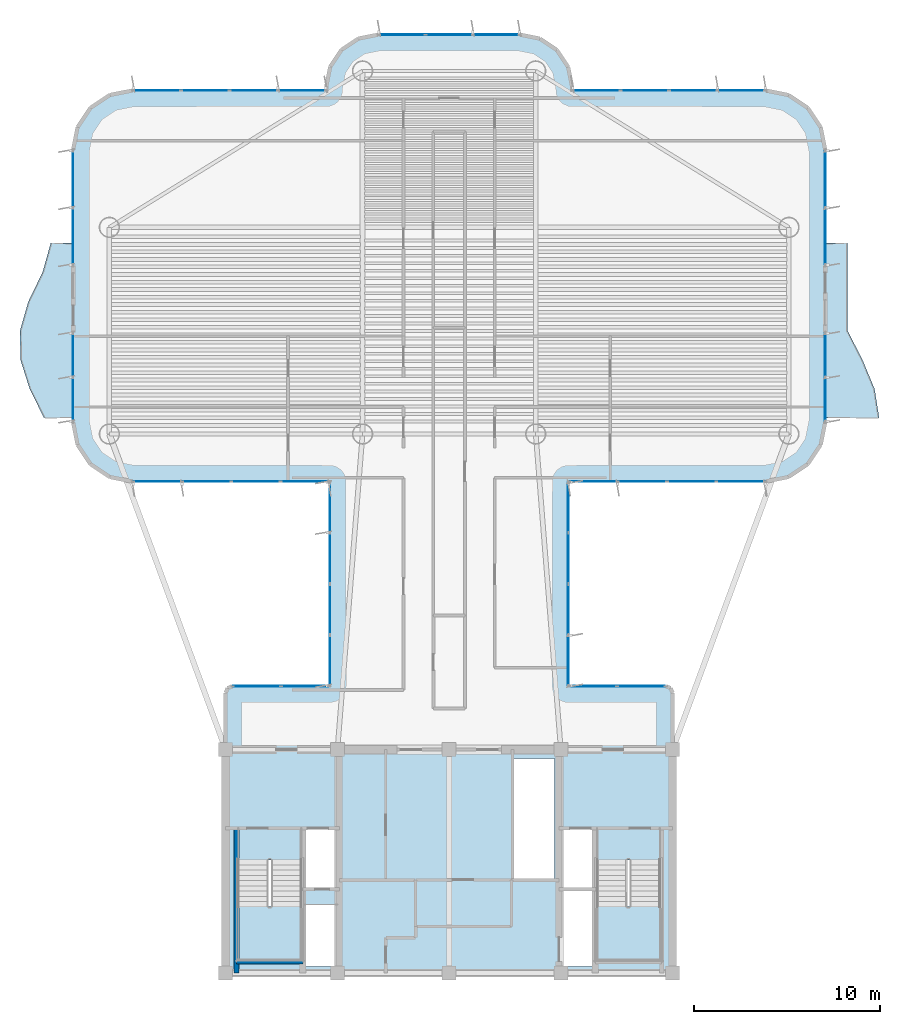
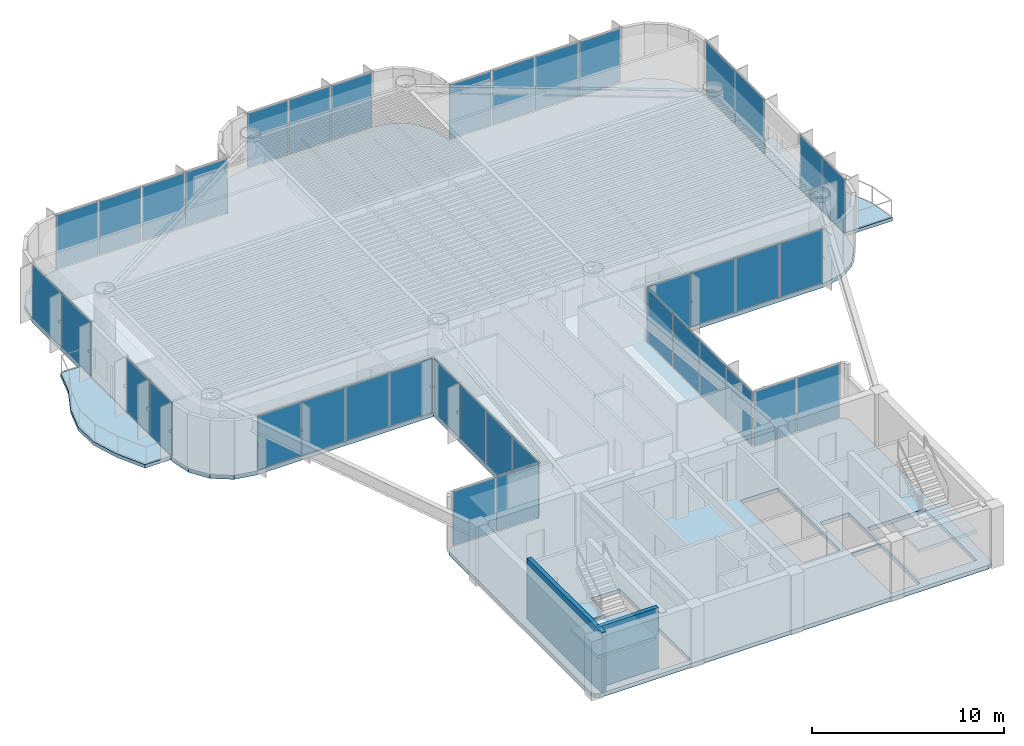
# One storey, part 8 of 14: 39 plates, 5 slabs, 2 walls, 15 elements without a shape of their own.
"""IFC4 building model written with IfcOpenShell, lengths in metres."""

import ifcopenshell
import ifcopenshell.guid

model = None  # the IFC model being written
_history = None  # IfcOwnerHistory: only IFC2X3 demands one
_inside = {}  # id of a spatial element -> (the spatial element, [elements in it])
_under = {}  # id of a project, library or spatial element -> (it, [spatial elements below it])
_declared = {}  # id of a project -> (the project, [libraries it declares])
_typed = {}  # id of a type object -> (the type object, [elements of that type])
_made_of = {}  # id of a material, layer set ... -> (it, [elements and type objects made of it])


def new_model(schema):
    """Start an empty IFC model of exactly this schema.

    Asked for "IFC4X3", IfcOpenShell would pick the latest addendum, in which some entities
    have other attributes; the version numbers below select the first issue.
    IFC2X3 requires an IfcOwnerHistory on every rooted entity: one is made here for all.
    """
    global model, _history
    if schema == "IFC4X3":
        model = ifcopenshell.file(schema_version=(4, 3, 0, 0))
    else:
        model = ifcopenshell.file(schema=schema)
    _inside.clear()
    _under.clear()
    _declared.clear()
    _typed.clear()
    _made_of.clear()
    _history = None
    if model.schema == "IFC2X3":
        org = make("IfcOrganization", Name="unknown")
        user = make(
            "IfcPersonAndOrganization",
            ThePerson=make("IfcPerson", FamilyName="unknown"),
            TheOrganization=org,
        )
        app = make(
            "IfcApplication",
            ApplicationDeveloper=org,
            Version="unknown",
            ApplicationFullName="unknown",
            ApplicationIdentifier="unknown",
        )
        _history = make(
            "IfcOwnerHistory",
            OwningUser=user,
            OwningApplication=app,
            ChangeAction="ADDED",
            CreationDate=0,
        )
    return model


def make(cls, **values):
    """One entity of the class cls with the attributes given. An attribute that is None is left unset."""
    return model.create_entity(
        cls, **{name: value for name, value in values.items() if value is not None}
    )


def rooted(cls, **values):
    """An entity with a GlobalId (a new one), such as an element, a storey or a relation."""
    return make(cls, GlobalId=ifcopenshell.guid.new(), OwnerHistory=_history, **values)


def si_unit(unit_type, name, prefix=None):
    """IfcSIUnit, for example si_unit("LENGTHUNIT", "METRE", prefix="MILLI")."""
    return make("IfcSIUnit", UnitType=unit_type, Prefix=prefix, Name=name)


def assignment(units):
    """IfcUnitAssignment: the units of a project."""
    return None if units is None else make("IfcUnitAssignment", Units=units)


def point(xyz):
    """IfcCartesianPoint."""
    return None if xyz is None else make("IfcCartesianPoint", Coordinates=xyz)


def direction(xyz):
    """IfcDirection."""
    return None if xyz is None else make("IfcDirection", DirectionRatios=xyz)


def frame(location, z_axis=None, x_axis=None):
    """IfcAxis2Placement3D, a coordinate frame: its origin and axes. An axis left out is left unset."""
    return make(
        "IfcAxis2Placement3D",
        Location=point(location),
        Axis=direction(z_axis),
        RefDirection=direction(x_axis),
    )


def frame_2d(location, x_axis=None):
    """IfcAxis2Placement2D, a coordinate frame in the plane: its origin and x axis."""
    return make(
        "IfcAxis2Placement2D", Location=point(location), RefDirection=direction(x_axis)
    )


def origin():
    """The frame at (0, 0, 0) with its axes left unset."""
    return frame((0.0, 0.0, 0.0))


def origin_2d():
    """The frame at (0, 0) in the plane with its x axis left unset."""
    return frame_2d((0.0, 0.0))


def place(relative_to, where):
    """IfcLocalPlacement: puts the frame where relative to a parent placement (None: the world)."""
    return make(
        "IfcLocalPlacement", PlacementRelTo=relative_to, RelativePlacement=where
    )


def context(
    kind, dimensions, precision=None, world=None, true_north=None, identifier=None
):
    """IfcGeometricRepresentationContext, for example the 3D "Model" context."""
    return make(
        "IfcGeometricRepresentationContext",
        ContextIdentifier=identifier,
        ContextType=kind,
        CoordinateSpaceDimension=dimensions,
        Precision=precision,
        WorldCoordinateSystem=world,
        TrueNorth=true_north,
    )


def subcontext(parent, identifier, kind, view, scale=None):
    """IfcGeometricRepresentationSubContext, for example "Body" below "Model"."""
    return make(
        "IfcGeometricRepresentationSubContext",
        ContextIdentifier=identifier,
        ContextType=kind,
        ParentContext=parent,
        TargetScale=scale,
        TargetView=view,
    )


def project(units=None, contexts=None):
    """IfcProject with its units and contexts."""
    return rooted(
        "IfcProject",
        Name="project",
        RepresentationContexts=contexts,
        UnitsInContext=assignment(units),
    )


def spatial(cls, under=None, at=None, **own):
    """A site, building, storey or space (cls), placed at a placement, below another one or the project."""
    s = rooted(cls, ObjectPlacement=at, **own)
    if under is not None:
        _under.setdefault(under.id(), (under, []))[1].append(s)
    return s


def polyline(points):
    """IfcPolyline through the points."""
    return make("IfcPolyline", Points=[point(p) for p in points])


def profile(cls, at=None, kind="AREA", **sizes):
    """A parametric profile (cls). Its sizes go by their IFC names, for example OverallWidth=200.0."""
    return make(cls, ProfileType=kind, Position=at, **sizes)


def rectangle(**sizes):
    """IfcRectangleProfileDef."""
    return profile("IfcRectangleProfileDef", **sizes)


def outline(outer, holes=None, kind="AREA"):
    """IfcArbitraryClosedProfileDef: a profile drawn as a closed curve; with holes, ...WithVoids."""
    if holes is None:
        return make("IfcArbitraryClosedProfileDef", ProfileType=kind, OuterCurve=outer)
    return make(
        "IfcArbitraryProfileDefWithVoids",
        ProfileType=kind,
        OuterCurve=outer,
        InnerCurves=holes,
    )


def extrude(swept, where, along, depth):
    """IfcExtrudedAreaSolid: the profile swept, set in the frame where, extruded along a direction by depth."""
    return make(
        "IfcExtrudedAreaSolid",
        SweptArea=swept,
        Position=where,
        ExtrudedDirection=direction(along),
        Depth=depth,
    )


def shape(context_of_items, identifier, shape_type, items):
    """IfcShapeRepresentation: the items that make up one representation, for example the "Body"."""
    return make(
        "IfcShapeRepresentation",
        ContextOfItems=context_of_items,
        RepresentationIdentifier=identifier,
        RepresentationType=shape_type,
        Items=items,
    )


def source(mapping_origin, context_of_items, identifier, shape_type, items):
    """IfcRepresentationMap: a shape defined once, which mapped items show again and again."""
    return make(
        "IfcRepresentationMap",
        MappingOrigin=mapping_origin,
        MappedRepresentation=shape(context_of_items, identifier, shape_type, items),
    )


def transform(
    local_origin,
    x_axis=None,
    y_axis=None,
    z_axis=None,
    scale=None,
    scale2=None,
    scale3=None,
    uniform=True,
):
    """IfcCartesianTransformationOperator3D, or its non-uniform kind. x_axis, y_axis, z_axis: its Axis1, 2, 3."""
    if uniform:
        return make(
            "IfcCartesianTransformationOperator3D",
            Axis1=direction(x_axis),
            Axis2=direction(y_axis),
            LocalOrigin=point(local_origin),
            Scale=scale,
            Axis3=direction(z_axis),
        )
    return make(
        "IfcCartesianTransformationOperator3DnonUniform",
        Axis1=direction(x_axis),
        Axis2=direction(y_axis),
        LocalOrigin=point(local_origin),
        Scale=scale,
        Axis3=direction(z_axis),
        Scale2=scale2,
        Scale3=scale3,
    )


def mapped(mapping_source, mapping_target):
    """IfcMappedItem: shows the shape of a source again, moved by a transform."""
    return make(
        "IfcMappedItem", MappingSource=mapping_source, MappingTarget=mapping_target
    )


def material(Name=None, Category=None):
    """IfcMaterial."""
    return make("IfcMaterial", Name=Name, Category=Category)


def layer(
    of_material, thickness, ventilated=None, Name=None, Category=None, Priority=None
):
    """IfcMaterialLayer: one layer of a wall or slab, of a material (None: an air gap)."""
    return make(
        "IfcMaterialLayer",
        Material=of_material,
        LayerThickness=thickness,
        IsVentilated=ventilated,
        Name=Name,
        Category=Category,
        Priority=Priority,
    )


def layer_set(layers, Name=None):
    """IfcMaterialLayerSet."""
    return make("IfcMaterialLayerSet", MaterialLayers=layers, LayerSetName=Name)


def made_of(thing, what):
    """Note that an element or type object is made of a material, layer set ...; save() writes the relation."""
    if what is not None:
        _made_of.setdefault(what.id(), (what, []))[1].append(thing)
    return thing


def type_object(cls, material=None, **own):
    """A type object (cls), such as IfcWallType, which elements share."""
    return made_of(rooted(cls, **own), material)


def element(
    cls,
    number,
    at=None,
    inside=None,
    cuts=None,
    type_object=None,
    material=None,
    context=None,
    identifier="Body",
    shape_type=None,
    held_by="IfcProductDefinitionShape",
    body=None,
    shapes=None,
    **own,
):
    """One element of the class cls, such as IfcWall. Its Tag is "e" and its number.

    at: its placement. inside: the storey or other place that contains it. cuts: it is an
    opening in that element (IfcRelVoidsElement). A single representation is given by context,
    identifier, shape_type and body (its items); several are given by shapes. held_by: the class
    of the entity that holds the representations. save() writes the other relations.
    """
    e = rooted(cls, Tag="e%d" % number, ObjectPlacement=at, **own)
    if body is not None:
        shapes = [shape(context, identifier, shape_type, body)]
    if shapes is not None:
        e.Representation = make(held_by, Representations=shapes)
    if inside is not None:
        _inside.setdefault(inside.id(), (inside, []))[1].append(e)
    if cuts is not None:
        rooted(
            "IfcRelVoidsElement", RelatingBuildingElement=cuts, RelatedOpeningElement=e
        )
    if type_object is not None:
        _typed.setdefault(type_object.id(), (type_object, []))[1].append(e)
    return made_of(e, material)


def aggregate(whole, parts):
    """IfcRelAggregates: a whole, such as a stair, and the parts it consists of."""
    return rooted("IfcRelAggregates", RelatingObject=whole, RelatedObjects=parts)


def save(model, path):
    """Write the relations noted so far, then the file.

    IfcRelAggregates (storeys below a building ...), IfcRelContainedInSpatialStructure (elements
    in a storey), IfcRelDefinesByType, IfcRelAssociatesMaterial and IfcRelDeclares: one each for
    every whole, place, type object, material and project.
    """
    for whole, parts in _under.values():
        aggregate(whole, parts)
    for where, things in _inside.values():
        rooted(
            "IfcRelContainedInSpatialStructure",
            RelatedElements=things,
            RelatingStructure=where,
        )
    for kind, things in _typed.values():
        rooted("IfcRelDefinesByType", RelatedObjects=things, RelatingType=kind)
    for what, things in _made_of.values():
        rooted("IfcRelAssociatesMaterial", RelatedObjects=things, RelatingMaterial=what)
    for by, libraries in _declared.values():
        rooted("IfcRelDeclares", RelatingContext=by, RelatedDefinitions=libraries)
    model.write(path)


model = new_model("IFC4")

# Units and contexts
model_context = context("Model", 3, precision=1e-05, world=origin(), true_north=direction((0.0, 1.0)))
body_context = subcontext(model_context, "Body", "Model", "MODEL_VIEW")
ifc_project = project(units=[si_unit("LENGTHUNIT", "METRE"), si_unit("AREAUNIT", "SQUARE_METRE"), si_unit("VOLUMEUNIT", "CUBIC_METRE"), si_unit("PLANEANGLEUNIT", "RADIAN"), si_unit("MASSUNIT", "GRAM", prefix="KILO")], contexts=[model_context])

# Site, building, storey
site_placement = place(None, origin())
site = spatial("IfcSite", under=ifc_project, at=site_placement, CompositionType="ELEMENT")
building_placement = place(site_placement, origin())
building = spatial("IfcBuilding", under=site, at=building_placement, Name="Brelvock Crest Care Tower", CompositionType="ELEMENT")
storey_placement = place(building_placement, frame((0.0, 0.0, 179.10009765625)))
storey = spatial("IfcBuildingStorey", under=building, at=storey_placement, Name="L45", CompositionType="ELEMENT", Elevation=179.10009765625)

# Slabs
ifc_material_1 = material(Name="Concrete N50 (50 MPa)", Category="concrete")
ifc_layer_1 = layer(ifc_material_1, 0.22998046875, Name="SLB-FL4")
ifc_layer_set_1 = layer_set([ifc_layer_1], Name="Concrete N50 (50 MPa)")
slab_type_1 = type_object("IfcSlabType", Name="SLB-FL4", PredefinedType="FLOOR", material=ifc_layer_set_1)
slab_1_placement = place(storey_placement, frame((0.0, 0.0, -0.25)))
element("IfcSlab", 1, at=slab_1_placement, inside=storey, type_object=slab_type_1, Name="L45 Main Structural Slab", PredefinedType="FLOOR", context=body_context, shape_type="SweptSolid", body=[
    extrude(outline(polyline([(47.64990234375, 21.39990234375), (42.39990234375, 21.39990234375), (42.39990234375, 32.39990234375), (53.0, 32.39990234375), (54.224609375, 32.6435546875), (55.2626953125, 33.33740234375), (55.956298828125, 34.37548828125), (56.199951171875, 35.60009765625), (56.199951171875, 50.199951171875), (55.956298828125, 51.424560546875), (55.2626953125, 52.462646484375), (54.224609375, 53.156494140625), (53.0, 53.39990234375), (42.60009765625, 53.39990234375), (42.60009765625, 53.60009765625), (42.386962890625, 54.67138671875), (41.77978515625, 55.579833984375), (40.87158203125, 56.18701171875), (39.800048828125, 56.39990234375), (32.199951171875, 56.39990234375), (31.12841796875, 56.18701171875), (30.22021484375, 55.579833984375), (29.613037109375, 54.67138671875), (29.39990234375, 53.60009765625), (29.39990234375, 53.39990234375), (19.0, 53.39990234375), (17.775390625, 53.156494140625), (16.7373046875, 52.462646484375), (16.043701171875, 51.424560546875), (15.800048828125, 50.199951171875), (15.800048828125, 35.60009765625), (16.043701171875, 34.37548828125), (16.7373046875, 33.33740234375), (17.775390625, 32.6435546875), (19.0, 32.39990234375), (29.60009765625, 32.39990234375), (29.60009765625, 21.39990234375), (24.35009765625, 21.39990234375), (24.1025390625, 21.297607421875), (24.0, 21.050048828125), (24.0, 6.35009765625), (24.1025390625, 6.1025390625), (24.35009765625, 6.0), (47.64990234375, 6.0), (47.8974609375, 6.1025390625), (48.0, 6.35009765625), (48.0, 21.050048828125), (47.8974609375, 21.297607421875), (47.64990234375, 21.39990234375)]), holes=[polyline([(28.239990234375, 10.580078125), (29.97998046875, 10.580078125), (29.97998046875, 13.739990234375), (28.239990234375, 13.739990234375), (28.239990234375, 10.580078125)]), polyline([(42.02001953125, 10.580078125), (43.760009765625, 10.580078125), (43.760009765625, 13.739990234375), (42.02001953125, 13.739990234375), (42.02001953125, 10.580078125)]), polyline([(28.239990234375, 6.340087890625), (29.97998046875, 6.340087890625), (29.97998046875, 9.64990234375), (28.239990234375, 9.64990234375), (28.239990234375, 6.340087890625)]), polyline([(24.6298828125, 12.080078125), (24.6298828125, 6.699951171875), (28.110107421875, 6.699951171875), (28.110107421875, 12.080078125), (24.6298828125, 12.080078125)]), polyline([(43.889892578125, 12.080078125), (43.889892578125, 6.699951171875), (47.3701171875, 6.699951171875), (47.3701171875, 12.080078125), (43.889892578125, 12.080078125)]), polyline([(42.02001953125, 6.340087890625), (43.760009765625, 6.340087890625), (43.760009765625, 10.5), (42.02001953125, 10.5), (42.02001953125, 6.340087890625)]), polyline([(39.429931640625, 11.030029296875), (41.669921875, 11.030029296875), (41.669921875, 17.52001953125), (39.429931640625, 17.52001953125), (39.429931640625, 11.030029296875)])]), origin(), (0.0, 0.0, 1.0), 0.25),
])
ifc_layer_2 = layer(ifc_material_1, 0.219970703125, Name="SLB-WB1")
ifc_layer_set_2 = layer_set([ifc_layer_2], Name="Concrete N50 (50 MPa)")
slab_type_2 = type_object("IfcSlabType", Name="SLB-WB1", PredefinedType="FLOOR", material=ifc_layer_set_2)
slab_2_placement = place(storey_placement, frame((0.0, 0.0, -0.22021484375)))
element("IfcSlab", 2, at=slab_2_placement, inside=storey, type_object=slab_type_2, Name="L45 W Sinusoidal Wave Balcony Slab", PredefinedType="FLOOR", context=body_context, shape_type="SweptSolid", body=[
    extrude(outline(polyline([(15.800048828125, 45.199951171875), (14.60009765625, 45.199951171875), (14.16162109375, 43.63330078125), (13.400390625, 42.066650390625), (12.95068359375, 40.5), (12.977294921875, 38.933349609375), (13.470947265625, 37.36669921875), (14.25, 35.800048828125), (15.800048828125, 35.800048828125), (15.800048828125, 45.199951171875)])), origin(), (0.0, 0.0, 1.0), 0.22021484375),
])
slab_3_placement = place(storey_placement, frame((0.0, 0.0, -0.22021484375)))
element("IfcSlab", 3, at=slab_3_placement, inside=storey, type_object=slab_type_2, Name="L45 E Sinusoidal Wave Balcony Slab", PredefinedType="FLOOR", context=body_context, shape_type="SweptSolid", body=[
    extrude(outline(polyline([(56.199951171875, 35.800048828125), (59.10009765625, 35.800048828125), (58.8525390625, 37.36669921875), (58.20068359375, 38.933349609375), (57.39990234375, 40.5), (57.39990234375, 42.066650390625), (57.39990234375, 43.63330078125), (57.39990234375, 45.199951171875), (56.199951171875, 45.199951171875), (56.199951171875, 35.800048828125)])), origin(), (0.0, 0.0, 1.0), 0.22021484375),
])

# Stair, slab
ifc_material_2 = material(Name="Concrete N40 (40 MPa)", Category="concrete")
stair_type = type_object("IfcStairType", Name="ST-CORE1", PredefinedType="HALF_TURN_STAIR", material=ifc_material_2)
stair_1_placement = place(storey_placement, origin())
stair_1 = element("IfcStair", 4, at=stair_1_placement, inside=storey, type_object=stair_type, Name="L45 Fire-Isolated Core Stair ST-1", PredefinedType="HALF_TURN_STAIR")
ifc_layer_3 = layer(ifc_material_2, 0.199951171875, Name="STL-1")
ifc_layer_set_3 = layer_set([ifc_layer_3], Name="Concrete N40 (40 MPa)")
slab_type_3 = type_object("IfcSlabType", Name="STL-1", PredefinedType="LANDING", material=ifc_layer_set_3)
slab_4_placement = place(storey_placement, frame((0.0, 0.0, 1.68994140625)))
slab_4 = element("IfcSlab", 5, at=slab_4_placement, type_object=slab_type_3, Name="ST-1 landing 1", PredefinedType="LANDING", context=body_context, shape_type="SweptSolid", body=[
    extrude(outline(polyline([(24.6298828125, 9.56005859375), (24.6298828125, 6.699951171875), (28.110107421875, 6.699951171875), (28.110107421875, 9.56005859375), (24.6298828125, 9.56005859375)])), origin(), (0.0, 0.0, 1.0), 0.199951171875),
])
aggregate(stair_1, [slab_4])

stair_2_placement = place(storey_placement, origin())
stair_2 = element("IfcStair", 6, at=stair_2_placement, inside=storey, type_object=stair_type, Name="L45 Fire-Isolated Core Stair ST-2", PredefinedType="HALF_TURN_STAIR")
slab_5_placement = place(storey_placement, frame((0.0, 0.0, 1.68994140625)))
slab_5 = element("IfcSlab", 7, at=slab_5_placement, type_object=slab_type_3, Name="ST-2 landing 1", PredefinedType="LANDING", context=body_context, shape_type="SweptSolid", body=[
    extrude(outline(polyline([(43.889892578125, 9.56005859375), (43.889892578125, 6.699951171875), (47.3701171875, 6.699951171875), (47.3701171875, 9.56005859375), (43.889892578125, 9.56005859375)])), origin(), (0.0, 0.0, 1.0), 0.199951171875),
])
aggregate(stair_2, [slab_5])

# Curtain wall, plates
ifc_material_3 = material(Name="Dark Glass Double Glazed Low-E", Category="glass")
ifc_layer_4 = layer(ifc_material_3, 0.22509765625, Name="CWS-4")
ifc_layer_set_4 = layer_set([ifc_layer_4], Name="Dark Glass Double Glazed Low-E")
curtain_wall_type = type_object("IfcCurtainWallType", Name="CWS-4", PredefinedType="NOTDEFINED", material=ifc_layer_set_4)
curtain_wall_1_placement = place(storey_placement, origin())
curtain_wall_1 = element("IfcCurtainWall", 8, at=curtain_wall_1_placement, inside=storey, type_object=curtain_wall_type, Name="L45 Curtain Wall E10", PredefinedType="NOTDEFINED")
ifc_layer_5 = layer(ifc_material_3, 0.0380859375, Name="CWP-V2")
ifc_layer_set_5 = layer_set([ifc_layer_5], Name="Dark Glass Double Glazed Low-E")
plate_type = type_object("IfcPlateType", Name="CWP-V2", PredefinedType="CURTAIN_PANEL", material=ifc_layer_set_5)
shared_shape_1 = source(origin(), body_context, "Body", "SweptSolid", [
    extrude(rectangle(XDim=2.534912109375, YDim=0.035888671875, at=origin_2d()), origin(), (0.0, 0.0, 1.0), 3.409912109375),
])
plate_1_placement = place(storey_placement, frame((25.677490234375, 21.39990234375, 0.06005859375), z_axis=(0.0, 0.0, 1.0), x_axis=(1.0, 0.0, 0.0)))
plate_1 = element("IfcPlate", 9, at=plate_1_placement, type_object=plate_type, Name="CW-4 panel 1.1", PredefinedType="CURTAIN_PANEL", context=body_context, shape_type="MappedRepresentation", body=[
    mapped(shared_shape_1, transform((0.0, 0.0, 0.0), x_axis=(1.0, 0.0, 0.0), y_axis=(0.0, 1.0, 0.0), z_axis=(0.0, 0.0, 1.0), scale=1.0)),
])
plate_2_placement = place(storey_placement, frame((28.2724609375, 21.39990234375, 0.06005859375), z_axis=(0.0, 0.0, 1.0), x_axis=(1.0, 0.0, 0.0)))
plate_2 = element("IfcPlate", 10, at=plate_2_placement, type_object=plate_type, Name="CW-4 panel 2.1", PredefinedType="CURTAIN_PANEL", context=body_context, shape_type="MappedRepresentation", body=[
    mapped(shared_shape_1, transform((0.0, 0.0, 0.0), x_axis=(1.0, 0.0, 0.0), y_axis=(0.0, 1.0, 0.0), z_axis=(0.0, 0.0, 1.0), scale=1.0)),
])
aggregate(curtain_wall_1, [plate_1, plate_2])

curtain_wall_2_placement = place(storey_placement, origin())
curtain_wall_2 = element("IfcCurtainWall", 11, at=curtain_wall_2_placement, inside=storey, type_object=curtain_wall_type, Name="L45 Curtain Wall E46", PredefinedType="NOTDEFINED")
plate_3_placement = place(storey_placement, frame((43.7275390625, 21.39990234375, 0.06005859375), z_axis=(0.0, 0.0, 1.0), x_axis=(1.0, 0.0, 0.0)))
plate_3 = element("IfcPlate", 12, at=plate_3_placement, type_object=plate_type, Name="CW-4 panel 1.1", PredefinedType="CURTAIN_PANEL", context=body_context, shape_type="MappedRepresentation", body=[
    mapped(shared_shape_1, transform((0.0, 0.0, 0.0), x_axis=(1.0, 0.0, 0.0), y_axis=(0.0, 1.0, 0.0), z_axis=(0.0, 0.0, 1.0), scale=1.0)),
])
plate_4_placement = place(storey_placement, frame((46.322509765625, 21.39990234375, 0.06005859375), z_axis=(0.0, 0.0, 1.0), x_axis=(1.0, 0.0, 0.0)))
plate_4 = element("IfcPlate", 13, at=plate_4_placement, type_object=plate_type, Name="CW-4 panel 2.1", PredefinedType="CURTAIN_PANEL", context=body_context, shape_type="MappedRepresentation", body=[
    mapped(shared_shape_1, transform((0.0, 0.0, 0.0), x_axis=(1.0, 0.0, 0.0), y_axis=(0.0, 1.0, 0.0), z_axis=(0.0, 0.0, 1.0), scale=1.0)),
])
aggregate(curtain_wall_2, [plate_3, plate_4])

curtain_wall_3_placement = place(storey_placement, origin())
curtain_wall_3 = element("IfcCurtainWall", 14, at=curtain_wall_3_placement, inside=storey, type_object=curtain_wall_type, Name="L45 Curtain Wall E11", PredefinedType="NOTDEFINED")
shared_shape_2 = source(origin(), body_context, "Body", "SweptSolid", [
    extrude(rectangle(XDim=2.659912109375, YDim=0.035888671875, at=origin_2d()), origin(), (0.0, 0.0, 1.0), 3.409912109375),
])
plate_5_placement = place(storey_placement, frame((29.60009765625, 22.7900390625, 0.06005859375), z_axis=(0.0, 0.0, 1.0), x_axis=(0.0, 1.0, 0.0)))
plate_5 = element("IfcPlate", 15, at=plate_5_placement, type_object=plate_type, Name="CW-4 panel 1.1", PredefinedType="CURTAIN_PANEL", context=body_context, shape_type="MappedRepresentation", body=[
    mapped(shared_shape_2, transform((0.0, 0.0, 0.0), x_axis=(1.0, 0.0, 0.0), y_axis=(0.0, 1.0, 0.0), z_axis=(0.0, 0.0, 1.0), scale=1.0)),
])
plate_6_placement = place(storey_placement, frame((29.60009765625, 31.010009765625, 0.06005859375), z_axis=(0.0, 0.0, 1.0), x_axis=(0.0, 1.0, 0.0)))
plate_6 = element("IfcPlate", 16, at=plate_6_placement, type_object=plate_type, Name="CW-4 panel 4.1", PredefinedType="CURTAIN_PANEL", context=body_context, shape_type="MappedRepresentation", body=[
    mapped(shared_shape_2, transform((0.0, 0.0, 0.0), x_axis=(1.0, 0.0, 0.0), y_axis=(0.0, 1.0, 0.0), z_axis=(0.0, 0.0, 1.0), scale=1.0)),
])

curtain_wall_4_placement = place(storey_placement, origin())
curtain_wall_4 = element("IfcCurtainWall", 17, at=curtain_wall_4_placement, inside=storey, type_object=curtain_wall_type, Name="L45 Curtain Wall E45", PredefinedType="NOTDEFINED")
plate_7_placement = place(storey_placement, frame((42.39990234375, 31.010009765625, 0.06005859375), z_axis=(0.0, 0.0, 1.0), x_axis=(0.0, -1.0, 0.0)))
plate_7 = element("IfcPlate", 18, at=plate_7_placement, type_object=plate_type, Name="CW-4 panel 1.1", PredefinedType="CURTAIN_PANEL", context=body_context, shape_type="MappedRepresentation", body=[
    mapped(shared_shape_2, transform((0.0, 0.0, 0.0), x_axis=(1.0, 0.0, 0.0), y_axis=(0.0, 1.0, 0.0), z_axis=(0.0, 0.0, 1.0), scale=1.0)),
])
plate_8_placement = place(storey_placement, frame((42.39990234375, 22.7900390625, 0.06005859375), z_axis=(0.0, 0.0, 1.0), x_axis=(0.0, -1.0, 0.0)))
plate_8 = element("IfcPlate", 19, at=plate_8_placement, type_object=plate_type, Name="CW-4 panel 4.1", PredefinedType="CURTAIN_PANEL", context=body_context, shape_type="MappedRepresentation", body=[
    mapped(shared_shape_2, transform((0.0, 0.0, 0.0), x_axis=(1.0, 0.0, 0.0), y_axis=(0.0, 1.0, 0.0), z_axis=(0.0, 0.0, 1.0), scale=1.0)),
])

# Plate
shared_shape_3 = source(origin(), body_context, "Body", "SweptSolid", [
    extrude(rectangle(XDim=2.68994140625, YDim=0.035888671875, at=origin_2d()), origin(), (0.0, 0.0, 1.0), 3.409912109375),
])
plate_9_placement = place(storey_placement, frame((29.60009765625, 25.52490234375, 0.06005859375), z_axis=(0.0, 0.0, 1.0), x_axis=(0.0, 1.0, 0.0)))
plate_9 = element("IfcPlate", 20, at=plate_9_placement, type_object=plate_type, Name="CW-4 panel 2.1", PredefinedType="CURTAIN_PANEL", context=body_context, shape_type="MappedRepresentation", body=[
    mapped(shared_shape_3, transform((0.0, 0.0, 0.0), x_axis=(1.0, 0.0, 0.0), y_axis=(0.0, 1.0, 0.0), z_axis=(0.0, 0.0, 1.0), scale=1.0)),
])

plate_10_placement = place(storey_placement, frame((29.60009765625, 28.27490234375, 0.06005859375), z_axis=(0.0, 0.0, 1.0), x_axis=(0.0, 1.0, 0.0)))
plate_10 = element("IfcPlate", 21, at=plate_10_placement, type_object=plate_type, Name="CW-4 panel 3.1", PredefinedType="CURTAIN_PANEL", context=body_context, shape_type="MappedRepresentation", body=[
    mapped(shared_shape_3, transform((0.0, 0.0, 0.0), x_axis=(1.0, 0.0, 0.0), y_axis=(0.0, 1.0, 0.0), z_axis=(0.0, 0.0, 1.0), scale=1.0)),
])

aggregate(curtain_wall_3, [plate_5, plate_9, plate_10, plate_6])

plate_11_placement = place(storey_placement, frame((42.39990234375, 28.27490234375, 0.06005859375), z_axis=(0.0, 0.0, 1.0), x_axis=(0.0, -1.0, 0.0)))
plate_11 = element("IfcPlate", 22, at=plate_11_placement, type_object=plate_type, Name="CW-4 panel 2.1", PredefinedType="CURTAIN_PANEL", context=body_context, shape_type="MappedRepresentation", body=[
    mapped(shared_shape_3, transform((0.0, 0.0, 0.0), x_axis=(1.0, 0.0, 0.0), y_axis=(0.0, 1.0, 0.0), z_axis=(0.0, 0.0, 1.0), scale=1.0)),
])

plate_12_placement = place(storey_placement, frame((42.39990234375, 25.52490234375, 0.06005859375), z_axis=(0.0, 0.0, 1.0), x_axis=(0.0, -1.0, 0.0)))
plate_12 = element("IfcPlate", 23, at=plate_12_placement, type_object=plate_type, Name="CW-4 panel 3.1", PredefinedType="CURTAIN_PANEL", context=body_context, shape_type="MappedRepresentation", body=[
    mapped(shared_shape_3, transform((0.0, 0.0, 0.0), x_axis=(1.0, 0.0, 0.0), y_axis=(0.0, 1.0, 0.0), z_axis=(0.0, 0.0, 1.0), scale=1.0)),
])

aggregate(curtain_wall_4, [plate_7, plate_11, plate_12, plate_8])

# Curtain wall, plates
curtain_wall_5_placement = place(storey_placement, origin())
curtain_wall_5 = element("IfcCurtainWall", 24, at=curtain_wall_5_placement, inside=storey, type_object=curtain_wall_type, Name="L45 Curtain Wall E12", PredefinedType="NOTDEFINED")
shared_shape_4 = source(origin(), body_context, "Body", "SweptSolid", [
    extrude(rectangle(XDim=2.56005859375, YDim=0.035888671875, at=origin_2d()), origin(), (0.0, 0.0, 1.0), 3.409912109375),
])
plate_13_placement = place(storey_placement, frame((28.260009765625, 32.39990234375, 0.06005859375), z_axis=(0.0, 0.0, 1.0), x_axis=(-1.0, 0.0, 0.0)))
plate_13 = element("IfcPlate", 25, at=plate_13_placement, type_object=plate_type, Name="CW-4 panel 1.1", PredefinedType="CURTAIN_PANEL", context=body_context, shape_type="MappedRepresentation", body=[
    mapped(shared_shape_4, transform((0.0, 0.0, 0.0), x_axis=(1.0, 0.0, 0.0), y_axis=(0.0, 1.0, 0.0), z_axis=(0.0, 0.0, 1.0), scale=1.0)),
])
plate_14_placement = place(storey_placement, frame((20.340087890625, 32.39990234375, 0.06005859375), z_axis=(0.0, 0.0, 1.0), x_axis=(-1.0, 0.0, 0.0)))
plate_14 = element("IfcPlate", 26, at=plate_14_placement, type_object=plate_type, Name="CW-4 panel 4.1", PredefinedType="CURTAIN_PANEL", context=body_context, shape_type="MappedRepresentation", body=[
    mapped(shared_shape_4, transform((0.0, 0.0, 0.0), x_axis=(1.0, 0.0, 0.0), y_axis=(0.0, 1.0, 0.0), z_axis=(0.0, 0.0, 1.0), scale=1.0)),
])

curtain_wall_6_placement = place(storey_placement, origin())
curtain_wall_6 = element("IfcCurtainWall", 27, at=curtain_wall_6_placement, inside=storey, type_object=curtain_wall_type, Name="L45 Curtain Wall E44", PredefinedType="NOTDEFINED")
plate_15_placement = place(storey_placement, frame((51.659912109375, 32.39990234375, 0.06005859375), z_axis=(0.0, 0.0, 1.0), x_axis=(-1.0, 0.0, 0.0)))
plate_15 = element("IfcPlate", 28, at=plate_15_placement, type_object=plate_type, Name="CW-4 panel 1.1", PredefinedType="CURTAIN_PANEL", context=body_context, shape_type="MappedRepresentation", body=[
    mapped(shared_shape_4, transform((0.0, 0.0, 0.0), x_axis=(1.0, 0.0, 0.0), y_axis=(0.0, 1.0, 0.0), z_axis=(0.0, 0.0, 1.0), scale=1.0)),
])
plate_16_placement = place(storey_placement, frame((43.739990234375, 32.39990234375, 0.06005859375), z_axis=(0.0, 0.0, 1.0), x_axis=(-1.0, 0.0, 0.0)))
plate_16 = element("IfcPlate", 29, at=plate_16_placement, type_object=plate_type, Name="CW-4 panel 4.1", PredefinedType="CURTAIN_PANEL", context=body_context, shape_type="MappedRepresentation", body=[
    mapped(shared_shape_4, transform((0.0, 0.0, 0.0), x_axis=(1.0, 0.0, 0.0), y_axis=(0.0, 1.0, 0.0), z_axis=(0.0, 0.0, 1.0), scale=1.0)),
])

# Plate
shared_shape_5 = source(origin(), body_context, "Body", "SweptSolid", [
    extrude(rectangle(XDim=2.590087890625, YDim=0.035888671875, at=origin_2d()), origin(), (0.0, 0.0, 1.0), 3.409912109375),
])
plate_17_placement = place(storey_placement, frame((25.625, 32.39990234375, 0.06005859375), z_axis=(0.0, 0.0, 1.0), x_axis=(-1.0, 0.0, 0.0)))
plate_17 = element("IfcPlate", 30, at=plate_17_placement, type_object=plate_type, Name="CW-4 panel 2.1", PredefinedType="CURTAIN_PANEL", context=body_context, shape_type="MappedRepresentation", body=[
    mapped(shared_shape_5, transform((0.0, 0.0, 0.0), x_axis=(1.0, 0.0, 0.0), y_axis=(0.0, 1.0, 0.0), z_axis=(0.0, 0.0, 1.0), scale=1.0)),
])

plate_18_placement = place(storey_placement, frame((22.97509765625, 32.39990234375, 0.06005859375), z_axis=(0.0, 0.0, 1.0), x_axis=(-1.0, 0.0, 0.0)))
plate_18 = element("IfcPlate", 31, at=plate_18_placement, type_object=plate_type, Name="CW-4 panel 3.1", PredefinedType="CURTAIN_PANEL", context=body_context, shape_type="MappedRepresentation", body=[
    mapped(shared_shape_5, transform((0.0, 0.0, 0.0), x_axis=(1.0, 0.0, 0.0), y_axis=(0.0, 1.0, 0.0), z_axis=(0.0, 0.0, 1.0), scale=1.0)),
])

aggregate(curtain_wall_5, [plate_13, plate_17, plate_18, plate_14])

plate_19_placement = place(storey_placement, frame((49.02490234375, 32.39990234375, 0.06005859375), z_axis=(0.0, 0.0, 1.0), x_axis=(-1.0, 0.0, 0.0)))
plate_19 = element("IfcPlate", 32, at=plate_19_placement, type_object=plate_type, Name="CW-4 panel 2.1", PredefinedType="CURTAIN_PANEL", context=body_context, shape_type="MappedRepresentation", body=[
    mapped(shared_shape_5, transform((0.0, 0.0, 0.0), x_axis=(1.0, 0.0, 0.0), y_axis=(0.0, 1.0, 0.0), z_axis=(0.0, 0.0, 1.0), scale=1.0)),
])

plate_20_placement = place(storey_placement, frame((46.375, 32.39990234375, 0.06005859375), z_axis=(0.0, 0.0, 1.0), x_axis=(-1.0, 0.0, 0.0)))
plate_20 = element("IfcPlate", 33, at=plate_20_placement, type_object=plate_type, Name="CW-4 panel 3.1", PredefinedType="CURTAIN_PANEL", context=body_context, shape_type="MappedRepresentation", body=[
    mapped(shared_shape_5, transform((0.0, 0.0, 0.0), x_axis=(1.0, 0.0, 0.0), y_axis=(0.0, 1.0, 0.0), z_axis=(0.0, 0.0, 1.0), scale=1.0)),
])

aggregate(curtain_wall_6, [plate_15, plate_19, plate_20, plate_16])

# Curtain wall, plates
curtain_wall_7_placement = place(storey_placement, origin())
curtain_wall_7 = element("IfcCurtainWall", 34, at=curtain_wall_7_placement, inside=storey, type_object=curtain_wall_type, Name="L45 Curtain Wall E22", PredefinedType="NOTDEFINED")
shared_shape_6 = source(origin(), body_context, "Body", "SweptSolid", [
    extrude(rectangle(XDim=2.510009765625, YDim=0.035888671875, at=origin_2d()), origin(), (0.0, 0.0, 1.0), 3.409912109375),
])
plate_21_placement = place(storey_placement, frame((20.31494140625, 53.39990234375, 0.06005859375), z_axis=(0.0, 0.0, 1.0), x_axis=(1.0, 0.0, 0.0)))
plate_21 = element("IfcPlate", 35, at=plate_21_placement, type_object=plate_type, Name="CW-4 panel 1.1", PredefinedType="CURTAIN_PANEL", context=body_context, shape_type="MappedRepresentation", body=[
    mapped(shared_shape_6, transform((0.0, 0.0, 0.0), x_axis=(1.0, 0.0, 0.0), y_axis=(0.0, 1.0, 0.0), z_axis=(0.0, 0.0, 1.0), scale=1.0)),
])
plate_22_placement = place(storey_placement, frame((28.0849609375, 53.39990234375, 0.06005859375), z_axis=(0.0, 0.0, 1.0), x_axis=(1.0, 0.0, 0.0)))
plate_22 = element("IfcPlate", 36, at=plate_22_placement, type_object=plate_type, Name="CW-4 panel 4.1", PredefinedType="CURTAIN_PANEL", context=body_context, shape_type="MappedRepresentation", body=[
    mapped(shared_shape_6, transform((0.0, 0.0, 0.0), x_axis=(1.0, 0.0, 0.0), y_axis=(0.0, 1.0, 0.0), z_axis=(0.0, 0.0, 1.0), scale=1.0)),
])

curtain_wall_8_placement = place(storey_placement, origin())
curtain_wall_8 = element("IfcCurtainWall", 37, at=curtain_wall_8_placement, inside=storey, type_object=curtain_wall_type, Name="L45 Curtain Wall E34", PredefinedType="NOTDEFINED")
plate_23_placement = place(storey_placement, frame((43.9150390625, 53.39990234375, 0.06005859375), z_axis=(0.0, 0.0, 1.0), x_axis=(1.0, 0.0, 0.0)))
plate_23 = element("IfcPlate", 38, at=plate_23_placement, type_object=plate_type, Name="CW-4 panel 1.1", PredefinedType="CURTAIN_PANEL", context=body_context, shape_type="MappedRepresentation", body=[
    mapped(shared_shape_6, transform((0.0, 0.0, 0.0), x_axis=(1.0, 0.0, 0.0), y_axis=(0.0, 1.0, 0.0), z_axis=(0.0, 0.0, 1.0), scale=1.0)),
])
plate_24_placement = place(storey_placement, frame((51.68505859375, 53.39990234375, 0.06005859375), z_axis=(0.0, 0.0, 1.0), x_axis=(1.0, 0.0, 0.0)))
plate_24 = element("IfcPlate", 39, at=plate_24_placement, type_object=plate_type, Name="CW-4 panel 4.1", PredefinedType="CURTAIN_PANEL", context=body_context, shape_type="MappedRepresentation", body=[
    mapped(shared_shape_6, transform((0.0, 0.0, 0.0), x_axis=(1.0, 0.0, 0.0), y_axis=(0.0, 1.0, 0.0), z_axis=(0.0, 0.0, 1.0), scale=1.0)),
])

# Plate
shared_shape_7 = source(origin(), body_context, "Body", "SweptSolid", [
    extrude(rectangle(XDim=2.5400390625, YDim=0.035888671875, at=origin_2d()), origin(), (0.0, 0.0, 1.0), 3.409912109375),
])
plate_25_placement = place(storey_placement, frame((22.89990234375, 53.39990234375, 0.06005859375), z_axis=(0.0, 0.0, 1.0), x_axis=(1.0, 0.0, 0.0)))
plate_25 = element("IfcPlate", 40, at=plate_25_placement, type_object=plate_type, Name="CW-4 panel 2.1", PredefinedType="CURTAIN_PANEL", context=body_context, shape_type="MappedRepresentation", body=[
    mapped(shared_shape_7, transform((0.0, 0.0, 0.0), x_axis=(1.0, 0.0, 0.0), y_axis=(0.0, 1.0, 0.0), z_axis=(0.0, 0.0, 1.0), scale=1.0)),
])

plate_26_placement = place(storey_placement, frame((25.5, 53.39990234375, 0.06005859375), z_axis=(0.0, 0.0, 1.0), x_axis=(1.0, 0.0, 0.0)))
plate_26 = element("IfcPlate", 41, at=plate_26_placement, type_object=plate_type, Name="CW-4 panel 3.1", PredefinedType="CURTAIN_PANEL", context=body_context, shape_type="MappedRepresentation", body=[
    mapped(shared_shape_7, transform((0.0, 0.0, 0.0), x_axis=(1.0, 0.0, 0.0), y_axis=(0.0, 1.0, 0.0), z_axis=(0.0, 0.0, 1.0), scale=1.0)),
])

aggregate(curtain_wall_7, [plate_21, plate_25, plate_26, plate_22])

plate_27_placement = place(storey_placement, frame((46.5, 53.39990234375, 0.06005859375), z_axis=(0.0, 0.0, 1.0), x_axis=(1.0, 0.0, 0.0)))
plate_27 = element("IfcPlate", 42, at=plate_27_placement, type_object=plate_type, Name="CW-4 panel 2.1", PredefinedType="CURTAIN_PANEL", context=body_context, shape_type="MappedRepresentation", body=[
    mapped(shared_shape_7, transform((0.0, 0.0, 0.0), x_axis=(1.0, 0.0, 0.0), y_axis=(0.0, 1.0, 0.0), z_axis=(0.0, 0.0, 1.0), scale=1.0)),
])

plate_28_placement = place(storey_placement, frame((49.10009765625, 53.39990234375, 0.06005859375), z_axis=(0.0, 0.0, 1.0), x_axis=(1.0, 0.0, 0.0)))
plate_28 = element("IfcPlate", 43, at=plate_28_placement, type_object=plate_type, Name="CW-4 panel 3.1", PredefinedType="CURTAIN_PANEL", context=body_context, shape_type="MappedRepresentation", body=[
    mapped(shared_shape_7, transform((0.0, 0.0, 0.0), x_axis=(1.0, 0.0, 0.0), y_axis=(0.0, 1.0, 0.0), z_axis=(0.0, 0.0, 1.0), scale=1.0)),
])

aggregate(curtain_wall_8, [plate_23, plate_27, plate_28, plate_24])

# Curtain wall, plates
curtain_wall_9_placement = place(storey_placement, origin())
curtain_wall_9 = element("IfcCurtainWall", 44, at=curtain_wall_9_placement, inside=storey, type_object=curtain_wall_type, Name="L45 Curtain Wall E28", PredefinedType="NOTDEFINED")
shared_shape_8 = source(origin(), body_context, "Body", "SweptSolid", [
    extrude(rectangle(XDim=2.443359375, YDim=0.035888671875, at=origin_2d()), origin(), (0.0, 0.0, 1.0), 3.409912109375),
])
plate_29_placement = place(storey_placement, frame((33.481689453125, 56.39990234375, 0.06005859375), z_axis=(0.0, 0.0, 1.0), x_axis=(1.0, 0.0, 0.0)))
plate_29 = element("IfcPlate", 45, at=plate_29_placement, type_object=plate_type, Name="CW-4 panel 1.1", PredefinedType="CURTAIN_PANEL", context=body_context, shape_type="MappedRepresentation", body=[
    mapped(shared_shape_8, transform((0.0, 0.0, 0.0), x_axis=(1.0, 0.0, 0.0), y_axis=(0.0, 1.0, 0.0), z_axis=(0.0, 0.0, 1.0), scale=1.0)),
])
plate_30_placement = place(storey_placement, frame((38.518310546875, 56.39990234375, 0.06005859375), z_axis=(0.0, 0.0, 1.0), x_axis=(1.0, 0.0, 0.0)))
plate_30 = element("IfcPlate", 46, at=plate_30_placement, type_object=plate_type, Name="CW-4 panel 3.1", PredefinedType="CURTAIN_PANEL", context=body_context, shape_type="MappedRepresentation", body=[
    mapped(shared_shape_8, transform((0.0, 0.0, 0.0), x_axis=(1.0, 0.0, 0.0), y_axis=(0.0, 1.0, 0.0), z_axis=(0.0, 0.0, 1.0), scale=1.0)),
])
shared_shape_9 = source(origin(), body_context, "Body", "SweptSolid", [
    extrude(rectangle(XDim=2.473388671875, YDim=0.035888671875, at=origin_2d()), origin(), (0.0, 0.0, 1.0), 3.409912109375),
])
plate_31_placement = place(storey_placement, frame((36.0, 56.39990234375, 0.06005859375), z_axis=(0.0, 0.0, 1.0), x_axis=(1.0, 0.0, 0.0)))
plate_31 = element("IfcPlate", 47, at=plate_31_placement, type_object=plate_type, Name="CW-4 panel 2.1", PredefinedType="CURTAIN_PANEL", context=body_context, shape_type="MappedRepresentation", body=[
    mapped(shared_shape_9, transform((0.0, 0.0, 0.0), x_axis=(1.0, 0.0, 0.0), y_axis=(0.0, 1.0, 0.0), z_axis=(0.0, 0.0, 1.0), scale=1.0)),
])
aggregate(curtain_wall_9, [plate_29, plate_31, plate_30])

curtain_wall_10_placement = place(storey_placement, origin())
curtain_wall_10 = element("IfcCurtainWall", 48, at=curtain_wall_10_placement, inside=storey, type_object=curtain_wall_type, Name="L45 Curtain Wall E17A", PredefinedType="NOTDEFINED")
shared_shape_10 = source(origin(), body_context, "Body", "SweptSolid", [
    extrude(rectangle(XDim=2.31005859375, YDim=0.035888671875, at=origin_2d()), origin(), (0.0, 0.0, 1.0), 3.409912109375),
])
plate_32_placement = place(storey_placement, frame((15.800048828125, 36.81494140625, 0.06005859375), z_axis=(0.0, 0.0, 1.0), x_axis=(0.0, 1.0, 0.0)))
plate_32 = element("IfcPlate", 49, at=plate_32_placement, type_object=plate_type, Name="CW-4 panel 1.1", PredefinedType="CURTAIN_PANEL", context=body_context, shape_type="MappedRepresentation", body=[
    mapped(shared_shape_10, transform((0.0, 0.0, 0.0), x_axis=(1.0, 0.0, 0.0), y_axis=(0.0, 1.0, 0.0), z_axis=(0.0, 0.0, 1.0), scale=1.0)),
])
plate_33_placement = place(storey_placement, frame((15.800048828125, 39.18505859375, 0.06005859375), z_axis=(0.0, 0.0, 1.0), x_axis=(0.0, 1.0, 0.0)))
plate_33 = element("IfcPlate", 50, at=plate_33_placement, type_object=plate_type, Name="CW-4 panel 2.1", PredefinedType="CURTAIN_PANEL", context=body_context, shape_type="MappedRepresentation", body=[
    mapped(shared_shape_10, transform((0.0, 0.0, 0.0), x_axis=(1.0, 0.0, 0.0), y_axis=(0.0, 1.0, 0.0), z_axis=(0.0, 0.0, 1.0), scale=1.0)),
])
aggregate(curtain_wall_10, [plate_32, plate_33])

curtain_wall_11_placement = place(storey_placement, origin())
curtain_wall_11 = element("IfcCurtainWall", 51, at=curtain_wall_11_placement, inside=storey, type_object=curtain_wall_type, Name="L45 Curtain Wall E39B", PredefinedType="NOTDEFINED")
plate_34_placement = place(storey_placement, frame((56.199951171875, 39.18505859375, 0.06005859375), z_axis=(0.0, 0.0, 1.0), x_axis=(0.0, -1.0, 0.0)))
plate_34 = element("IfcPlate", 52, at=plate_34_placement, type_object=plate_type, Name="CW-4 panel 1.1", PredefinedType="CURTAIN_PANEL", context=body_context, shape_type="MappedRepresentation", body=[
    mapped(shared_shape_10, transform((0.0, 0.0, 0.0), x_axis=(1.0, 0.0, 0.0), y_axis=(0.0, 1.0, 0.0), z_axis=(0.0, 0.0, 1.0), scale=1.0)),
])
plate_35_placement = place(storey_placement, frame((56.199951171875, 36.81494140625, 0.06005859375), z_axis=(0.0, 0.0, 1.0), x_axis=(0.0, -1.0, 0.0)))
plate_35 = element("IfcPlate", 53, at=plate_35_placement, type_object=plate_type, Name="CW-4 panel 2.1", PredefinedType="CURTAIN_PANEL", context=body_context, shape_type="MappedRepresentation", body=[
    mapped(shared_shape_10, transform((0.0, 0.0, 0.0), x_axis=(1.0, 0.0, 0.0), y_axis=(0.0, 1.0, 0.0), z_axis=(0.0, 0.0, 1.0), scale=1.0)),
])
aggregate(curtain_wall_11, [plate_34, plate_35])

curtain_wall_12_placement = place(storey_placement, origin())
curtain_wall_12 = element("IfcCurtainWall", 54, at=curtain_wall_12_placement, inside=storey, type_object=curtain_wall_type, Name="L45 Curtain Wall E17B", PredefinedType="NOTDEFINED")
shared_shape_11 = source(origin(), body_context, "Body", "SweptSolid", [
    extrude(rectangle(XDim=3.010009765625, YDim=0.035888671875, at=origin_2d()), origin(), (0.0, 0.0, 1.0), 3.409912109375),
])
plate_36_placement = place(storey_placement, frame((15.800048828125, 45.56494140625, 0.06005859375), z_axis=(0.0, 0.0, 1.0), x_axis=(0.0, 1.0, 0.0)))
plate_36 = element("IfcPlate", 55, at=plate_36_placement, type_object=plate_type, Name="CW-4 panel 1.1", PredefinedType="CURTAIN_PANEL", context=body_context, shape_type="MappedRepresentation", body=[
    mapped(shared_shape_11, transform((0.0, 0.0, 0.0), x_axis=(1.0, 0.0, 0.0), y_axis=(0.0, 1.0, 0.0), z_axis=(0.0, 0.0, 1.0), scale=1.0)),
])
plate_37_placement = place(storey_placement, frame((15.800048828125, 48.635009765625, 0.06005859375), z_axis=(0.0, 0.0, 1.0), x_axis=(0.0, 1.0, 0.0)))
plate_37 = element("IfcPlate", 56, at=plate_37_placement, type_object=plate_type, Name="CW-4 panel 2.1", PredefinedType="CURTAIN_PANEL", context=body_context, shape_type="MappedRepresentation", body=[
    mapped(shared_shape_11, transform((0.0, 0.0, 0.0), x_axis=(1.0, 0.0, 0.0), y_axis=(0.0, 1.0, 0.0), z_axis=(0.0, 0.0, 1.0), scale=1.0)),
])
aggregate(curtain_wall_12, [plate_36, plate_37])

curtain_wall_13_placement = place(storey_placement, origin())
curtain_wall_13 = element("IfcCurtainWall", 57, at=curtain_wall_13_placement, inside=storey, type_object=curtain_wall_type, Name="L45 Curtain Wall E39A", PredefinedType="NOTDEFINED")
plate_38_placement = place(storey_placement, frame((56.199951171875, 48.635009765625, 0.06005859375), z_axis=(0.0, 0.0, 1.0), x_axis=(0.0, -1.0, 0.0)))
plate_38 = element("IfcPlate", 58, at=plate_38_placement, type_object=plate_type, Name="CW-4 panel 1.1", PredefinedType="CURTAIN_PANEL", context=body_context, shape_type="MappedRepresentation", body=[
    mapped(shared_shape_11, transform((0.0, 0.0, 0.0), x_axis=(1.0, 0.0, 0.0), y_axis=(0.0, 1.0, 0.0), z_axis=(0.0, 0.0, 1.0), scale=1.0)),
])
plate_39_placement = place(storey_placement, frame((56.199951171875, 45.56494140625, 0.06005859375), z_axis=(0.0, 0.0, 1.0), x_axis=(0.0, -1.0, 0.0)))
plate_39 = element("IfcPlate", 59, at=plate_39_placement, type_object=plate_type, Name="CW-4 panel 2.1", PredefinedType="CURTAIN_PANEL", context=body_context, shape_type="MappedRepresentation", body=[
    mapped(shared_shape_11, transform((0.0, 0.0, 0.0), x_axis=(1.0, 0.0, 0.0), y_axis=(0.0, 1.0, 0.0), z_axis=(0.0, 0.0, 1.0), scale=1.0)),
])
aggregate(curtain_wall_13, [plate_38, plate_39])

# Walls
ifc_material_4 = material(Name="Concrete S80 (80 MPa)", Category="concrete")
ifc_layer_6 = layer(ifc_material_4, 0.25, Name="WL-CS6")
ifc_layer_set_6 = layer_set([ifc_layer_6], Name="Concrete S80 (80 MPa)")
wall_type = type_object("IfcWallType", Name="WL-CS6", PredefinedType="SHEAR", material=ifc_layer_set_6)
wall_1_placement = place(storey_placement, frame((24.580078125, 6.0, 0.0), z_axis=(0.0, 0.0, 1.0), x_axis=(0.0, 1.0, 0.0)))
element("IfcWall", 60, at=wall_1_placement, inside=storey, type_object=wall_type, Name="L45 Core Stair ST-1 West Shear Wall", PredefinedType="SHEAR", context=body_context, shape_type="SweptSolid", body=[
    extrude(rectangle(XDim=7.780029296875, YDim=0.25, at=frame_2d((3.89013671875, 0.0))), origin(), (0.0, 0.0, 1.0), 3.849853515625),
])
wall_2_placement = place(storey_placement, frame((24.580078125, 6.6201171875, 0.0), z_axis=(0.0, 0.0, 1.0), x_axis=(1.0, 0.0, 0.0)))
element("IfcWall", 61, at=wall_2_placement, inside=storey, type_object=wall_type, Name="L45 Core Stair ST-1 South Shear Wall", PredefinedType="SHEAR", context=body_context, shape_type="SweptSolid", body=[
    extrude(rectangle(XDim=3.56982421875, YDim=0.25, at=frame_2d((1.784912109375, 0.0))), origin(), (0.0, 0.0, 1.0), 3.849853515625),
])

save(model, "model.ifc")
